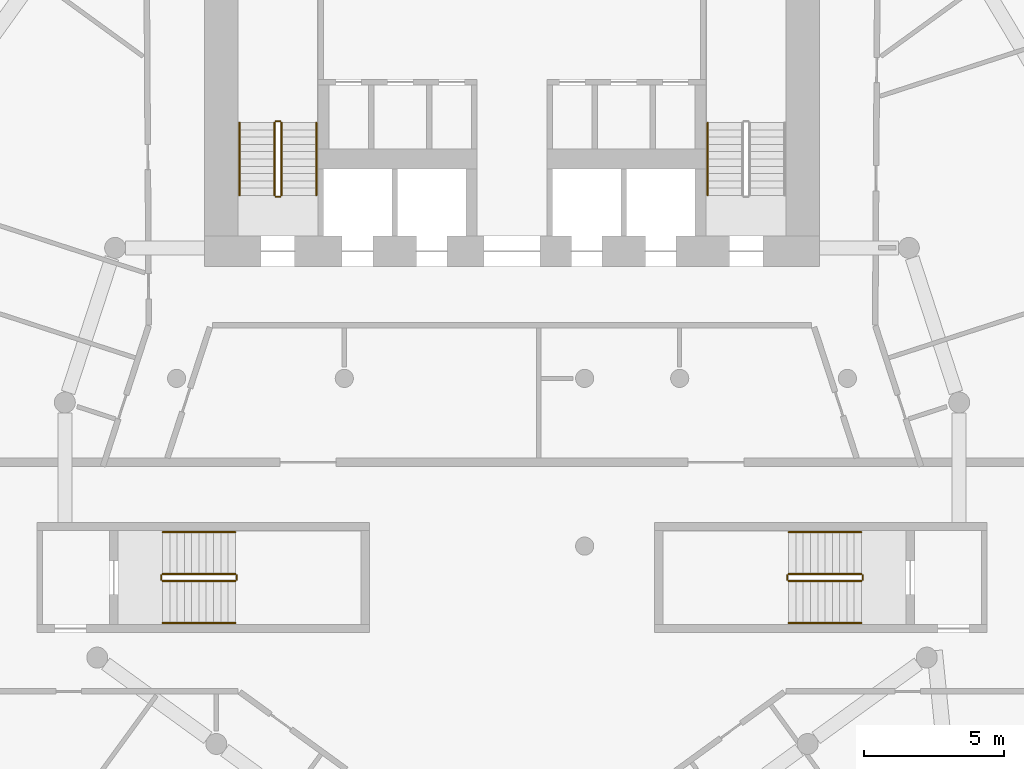
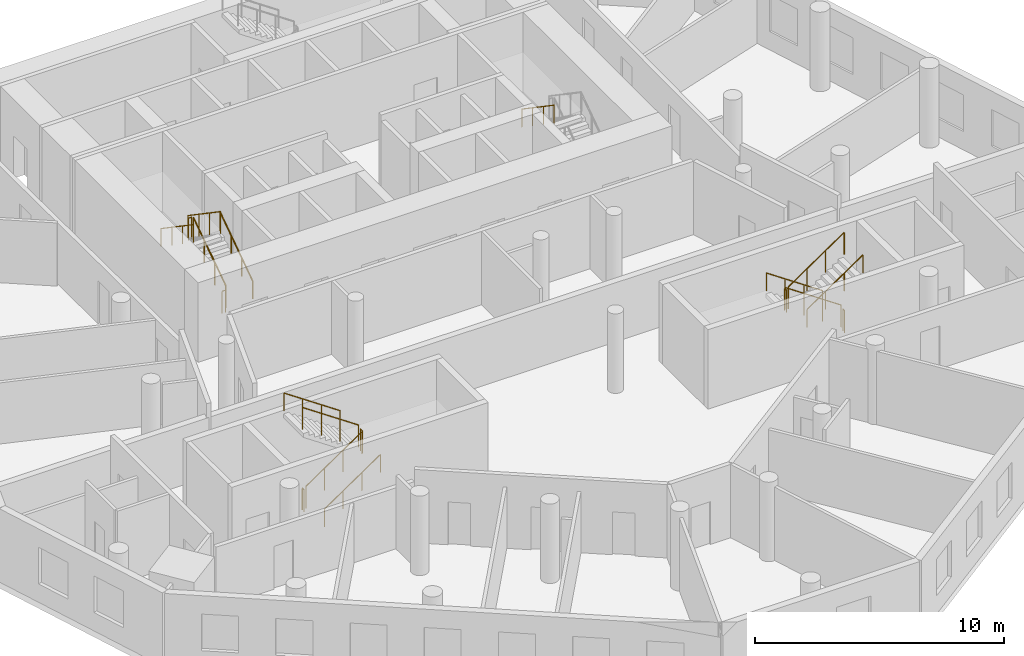
# One storey, part 8 of 9: 19 railings.
"""IFC4 building model written with IfcOpenShell, lengths in metres."""

import ifcopenshell
import ifcopenshell.guid

model = None  # the IFC model being written
_history = None  # IfcOwnerHistory: only IFC2X3 demands one
_inside = {}  # id of a spatial element -> (the spatial element, [elements in it])
_under = {}  # id of a project, library or spatial element -> (it, [spatial elements below it])
_declared = {}  # id of a project -> (the project, [libraries it declares])
_typed = {}  # id of a type object -> (the type object, [elements of that type])
_made_of = {}  # id of a material, layer set ... -> (it, [elements and type objects made of it])


def new_model(schema):
    """Start an empty IFC model of exactly this schema.

    Asked for "IFC4X3", IfcOpenShell would pick the latest addendum, in which some entities
    have other attributes; the version numbers below select the first issue.
    IFC2X3 requires an IfcOwnerHistory on every rooted entity: one is made here for all.
    """
    global model, _history
    if schema == "IFC4X3":
        model = ifcopenshell.file(schema_version=(4, 3, 0, 0))
    else:
        model = ifcopenshell.file(schema=schema)
    _inside.clear()
    _under.clear()
    _declared.clear()
    _typed.clear()
    _made_of.clear()
    _history = None
    if model.schema == "IFC2X3":
        org = make("IfcOrganization", Name="unknown")
        user = make(
            "IfcPersonAndOrganization",
            ThePerson=make("IfcPerson", FamilyName="unknown"),
            TheOrganization=org,
        )
        app = make(
            "IfcApplication",
            ApplicationDeveloper=org,
            Version="unknown",
            ApplicationFullName="unknown",
            ApplicationIdentifier="unknown",
        )
        _history = make(
            "IfcOwnerHistory",
            OwningUser=user,
            OwningApplication=app,
            ChangeAction="ADDED",
            CreationDate=0,
        )
    return model


def make(cls, **values):
    """One entity of the class cls with the attributes given. An attribute that is None is left unset."""
    return model.create_entity(
        cls, **{name: value for name, value in values.items() if value is not None}
    )


def rooted(cls, **values):
    """An entity with a GlobalId (a new one), such as an element, a storey or a relation."""
    return make(cls, GlobalId=ifcopenshell.guid.new(), OwnerHistory=_history, **values)


def si_unit(unit_type, name, prefix=None):
    """IfcSIUnit, for example si_unit("LENGTHUNIT", "METRE", prefix="MILLI")."""
    return make("IfcSIUnit", UnitType=unit_type, Prefix=prefix, Name=name)


def assignment(units):
    """IfcUnitAssignment: the units of a project."""
    return None if units is None else make("IfcUnitAssignment", Units=units)


def point(xyz):
    """IfcCartesianPoint."""
    return None if xyz is None else make("IfcCartesianPoint", Coordinates=xyz)


def direction(xyz):
    """IfcDirection."""
    return None if xyz is None else make("IfcDirection", DirectionRatios=xyz)


def frame(location, z_axis=None, x_axis=None):
    """IfcAxis2Placement3D, a coordinate frame: its origin and axes. An axis left out is left unset."""
    return make(
        "IfcAxis2Placement3D",
        Location=point(location),
        Axis=direction(z_axis),
        RefDirection=direction(x_axis),
    )


def frame_2d(location, x_axis=None):
    """IfcAxis2Placement2D, a coordinate frame in the plane: its origin and x axis."""
    return make(
        "IfcAxis2Placement2D", Location=point(location), RefDirection=direction(x_axis)
    )


def origin():
    """The frame at (0, 0, 0) with its axes left unset."""
    return frame((0.0, 0.0, 0.0))


def origin_2d():
    """The frame at (0, 0) in the plane with its x axis left unset."""
    return frame_2d((0.0, 0.0))


def place(relative_to, where):
    """IfcLocalPlacement: puts the frame where relative to a parent placement (None: the world)."""
    return make(
        "IfcLocalPlacement", PlacementRelTo=relative_to, RelativePlacement=where
    )


def context(
    kind, dimensions, precision=None, world=None, true_north=None, identifier=None
):
    """IfcGeometricRepresentationContext, for example the 3D "Model" context."""
    return make(
        "IfcGeometricRepresentationContext",
        ContextIdentifier=identifier,
        ContextType=kind,
        CoordinateSpaceDimension=dimensions,
        Precision=precision,
        WorldCoordinateSystem=world,
        TrueNorth=true_north,
    )


def subcontext(parent, identifier, kind, view, scale=None):
    """IfcGeometricRepresentationSubContext, for example "Body" below "Model"."""
    return make(
        "IfcGeometricRepresentationSubContext",
        ContextIdentifier=identifier,
        ContextType=kind,
        ParentContext=parent,
        TargetScale=scale,
        TargetView=view,
    )


def project(units=None, contexts=None):
    """IfcProject with its units and contexts."""
    return rooted(
        "IfcProject",
        Name="project",
        RepresentationContexts=contexts,
        UnitsInContext=assignment(units),
    )


def spatial(cls, under=None, at=None, **own):
    """A site, building, storey or space (cls), placed at a placement, below another one or the project."""
    s = rooted(cls, ObjectPlacement=at, **own)
    if under is not None:
        _under.setdefault(under.id(), (under, []))[1].append(s)
    return s


def profile(cls, at=None, kind="AREA", **sizes):
    """A parametric profile (cls). Its sizes go by their IFC names, for example OverallWidth=200.0."""
    return make(cls, ProfileType=kind, Position=at, **sizes)


def circle(**sizes):
    """IfcCircleProfileDef."""
    return profile("IfcCircleProfileDef", **sizes)


def extrude(swept, where, along, depth):
    """IfcExtrudedAreaSolid: the profile swept, set in the frame where, extruded along a direction by depth."""
    return make(
        "IfcExtrudedAreaSolid",
        SweptArea=swept,
        Position=where,
        ExtrudedDirection=direction(along),
        Depth=depth,
    )


def shape(context_of_items, identifier, shape_type, items):
    """IfcShapeRepresentation: the items that make up one representation, for example the "Body"."""
    return make(
        "IfcShapeRepresentation",
        ContextOfItems=context_of_items,
        RepresentationIdentifier=identifier,
        RepresentationType=shape_type,
        Items=items,
    )


def material(Name=None, Category=None):
    """IfcMaterial."""
    return make("IfcMaterial", Name=Name, Category=Category)


def made_of(thing, what):
    """Note that an element or type object is made of a material, layer set ...; save() writes the relation."""
    if what is not None:
        _made_of.setdefault(what.id(), (what, []))[1].append(thing)
    return thing


def type_object(cls, material=None, **own):
    """A type object (cls), such as IfcWallType, which elements share."""
    return made_of(rooted(cls, **own), material)


def element(
    cls,
    number,
    at=None,
    inside=None,
    cuts=None,
    type_object=None,
    material=None,
    context=None,
    identifier="Body",
    shape_type=None,
    held_by="IfcProductDefinitionShape",
    body=None,
    shapes=None,
    **own,
):
    """One element of the class cls, such as IfcWall. Its Tag is "e" and its number.

    at: its placement. inside: the storey or other place that contains it. cuts: it is an
    opening in that element (IfcRelVoidsElement). A single representation is given by context,
    identifier, shape_type and body (its items); several are given by shapes. held_by: the class
    of the entity that holds the representations. save() writes the other relations.
    """
    e = rooted(cls, Tag="e%d" % number, ObjectPlacement=at, **own)
    if body is not None:
        shapes = [shape(context, identifier, shape_type, body)]
    if shapes is not None:
        e.Representation = make(held_by, Representations=shapes)
    if inside is not None:
        _inside.setdefault(inside.id(), (inside, []))[1].append(e)
    if cuts is not None:
        rooted(
            "IfcRelVoidsElement", RelatingBuildingElement=cuts, RelatedOpeningElement=e
        )
    if type_object is not None:
        _typed.setdefault(type_object.id(), (type_object, []))[1].append(e)
    return made_of(e, material)


def aggregate(whole, parts):
    """IfcRelAggregates: a whole, such as a stair, and the parts it consists of."""
    return rooted("IfcRelAggregates", RelatingObject=whole, RelatedObjects=parts)


def save(model, path):
    """Write the relations noted so far, then the file.

    IfcRelAggregates (storeys below a building ...), IfcRelContainedInSpatialStructure (elements
    in a storey), IfcRelDefinesByType, IfcRelAssociatesMaterial and IfcRelDeclares: one each for
    every whole, place, type object, material and project.
    """
    for whole, parts in _under.values():
        aggregate(whole, parts)
    for where, things in _inside.values():
        rooted(
            "IfcRelContainedInSpatialStructure",
            RelatedElements=things,
            RelatingStructure=where,
        )
    for kind, things in _typed.values():
        rooted("IfcRelDefinesByType", RelatedObjects=things, RelatingType=kind)
    for what, things in _made_of.values():
        rooted("IfcRelAssociatesMaterial", RelatedObjects=things, RelatingMaterial=what)
    for by, libraries in _declared.values():
        rooted("IfcRelDeclares", RelatingContext=by, RelatedDefinitions=libraries)
    model.write(path)


model = new_model("IFC4")

# Units and contexts
model_context = context("Model", 3, precision=1e-05, world=origin(), true_north=direction((0.0, 1.0)))
body_context = subcontext(model_context, "Body", "Model", "MODEL_VIEW")
ifc_project = project(units=[si_unit("LENGTHUNIT", "METRE"), si_unit("AREAUNIT", "SQUARE_METRE"), si_unit("VOLUMEUNIT", "CUBIC_METRE"), si_unit("PLANEANGLEUNIT", "RADIAN"), si_unit("MASSUNIT", "GRAM", prefix="KILO")], contexts=[model_context])

# Site, building, storey
site_placement = place(None, origin())
site = spatial("IfcSite", under=ifc_project, at=site_placement, CompositionType="ELEMENT")
building_placement = place(site_placement, origin())
building = spatial("IfcBuilding", under=site, at=building_placement, Name="White Candle Pilgrim Tower", CompositionType="ELEMENT")
storey_placement = place(building_placement, frame((0.0, 0.0, 133.699951171875)))
storey = spatial("IfcBuildingStorey", under=building, at=storey_placement, Name="L30", CompositionType="ELEMENT", Elevation=133.699951171875)

# Railings
ifc_material = material(Name="Stainless steel", Category="steel")
railing_type_1 = type_object("IfcRailingType", Name="Stair guard stainless steel 1100 mm", PredefinedType="GUARDRAIL", material=ifc_material)
railing_1_placement = place(storey_placement, frame((61.75, 73.550048828125, 0.17724609375)))
element("IfcRailing", 1, at=railing_1_placement, inside=storey, type_object=railing_type_1, Name="L30 ST1 stair guard 1", PredefinedType="GUARDRAIL", context=body_context, shape_type="SweptSolid", body=[
    extrude(circle(Radius=0.02392578125, at=origin_2d()), frame((0.0, 0.0, 1.076171875), z_axis=(0.0, 0.826215852431, 0.563353676824), x_axis=(-1.0, 0.0, 0.0)), (0.0, 0.0, 1.0), 3.146728515625),
    extrude(circle(Radius=0.02099609375, at=origin_2d()), origin(), (0.0, 0.0, 1.0), 1.052001953125),
    extrude(circle(Radius=0.02099609375, at=origin_2d()), frame((0.0, 0.86669921875, 0.5908203125)), (0.0, 0.0, 1.0), 1.052001953125),
    extrude(circle(Radius=0.02099609375, at=origin_2d()), frame((0.0, 1.733154296875, 1.181884765625)), (0.0, 0.0, 1.0), 1.052001953125),
    extrude(circle(Radius=0.02099609375, at=origin_2d()), frame((0.0, 2.599853515625, 1.772705078125)), (0.0, 0.0, 1.0), 1.052001953125),
])
railing_2_placement = place(storey_placement, frame((61.699951171875, 76.199951171875, 1.949951171875)))
element("IfcRailing", 2, at=railing_2_placement, inside=storey, type_object=railing_type_1, Name="L30 ST1 stair guard 2", PredefinedType="GUARDRAIL", context=body_context, shape_type="SweptSolid", body=[
    extrude(circle(Radius=0.02392578125, at=origin_2d()), frame((0.0, 0.0, 1.076171875), z_axis=(-1.0, 0.0, 0.0), x_axis=(0.0, -1.0, 0.0)), (0.0, 0.0, 1.0), 0.14990234375),
    extrude(circle(Radius=0.02099609375, at=origin_2d()), origin(), (0.0, 0.0, 1.0), 1.052001953125),
    extrude(circle(Radius=0.02099609375, at=origin_2d()), frame((-0.14990234375, 0.0, 0.0)), (0.0, 0.0, 1.0), 1.052001953125),
])
railing_3_placement = place(storey_placement, frame((61.5, 76.14990234375, 2.12744140625)))
element("IfcRailing", 3, at=railing_3_placement, inside=storey, type_object=railing_type_1, Name="L30 ST1 stair guard 3", PredefinedType="GUARDRAIL", context=body_context, shape_type="SweptSolid", body=[
    extrude(circle(Radius=0.02392578125, at=origin_2d()), frame((0.0, 0.0, 1.076171875), z_axis=(0.0, -0.826215852431, 0.563353676824), x_axis=(1.0, 0.0, 0.0)), (0.0, 0.0, 1.0), 3.146728515625),
    extrude(circle(Radius=0.02099609375, at=origin_2d()), origin(), (0.0, 0.0, 1.0), 1.052001953125),
    extrude(circle(Radius=0.02099609375, at=origin_2d()), frame((0.0, -0.86669921875, 0.5908203125)), (0.0, 0.0, 1.0), 1.052001953125),
    extrude(circle(Radius=0.02099609375, at=origin_2d()), frame((0.0, -1.733154296875, 1.181884765625)), (0.0, 0.0, 1.0), 1.052001953125),
    extrude(circle(Radius=0.02099609375, at=origin_2d()), frame((0.0, -2.599853515625, 1.772705078125)), (0.0, 0.0, 1.0), 1.052001953125),
])
railing_4_placement = place(storey_placement, frame((61.699951171875, 73.5, 0.0)))
element("IfcRailing", 4, at=railing_4_placement, inside=storey, type_object=railing_type_1, Name="L30 ST1 stair guard 4", PredefinedType="GUARDRAIL", context=body_context, shape_type="SweptSolid", body=[
    extrude(circle(Radius=0.02392578125, at=origin_2d()), frame((0.0, 0.0, 1.076171875), z_axis=(-1.0, 0.0, 0.0), x_axis=(0.0, -1.0, 0.0)), (0.0, 0.0, 1.0), 0.14990234375),
    extrude(circle(Radius=0.02099609375, at=origin_2d()), origin(), (0.0, 0.0, 1.0), 1.052001953125),
    extrude(circle(Radius=0.02099609375, at=origin_2d()), frame((-0.14990234375, 0.0, 0.0)), (0.0, 0.0, 1.0), 1.052001953125),
])
railing_5_placement = place(storey_placement, frame((82.5, 60.0, 0.17724609375)))
element("IfcRailing", 5, at=railing_5_placement, inside=storey, type_object=railing_type_1, Name="L30 ST4 stair guard 1", PredefinedType="GUARDRAIL", context=body_context, shape_type="SweptSolid", body=[
    extrude(circle(Radius=0.02392578125, at=origin_2d()), frame((0.0, 0.0, 1.076171875), z_axis=(-0.826240473404, 0.0, 0.563317565952), x_axis=(0.0, -1.0, 0.0)), (0.0, 0.0, 1.0), 3.14697265625),
    extrude(circle(Radius=0.02099609375, at=origin_2d()), origin(), (0.0, 0.0, 1.0), 1.052001953125),
    extrude(circle(Radius=0.02099609375, at=origin_2d()), frame((-0.86669921875, 0.0, 0.5908203125)), (0.0, 0.0, 1.0), 1.052001953125),
    extrude(circle(Radius=0.02099609375, at=origin_2d()), frame((-1.7333984375, 0.0, 1.181884765625)), (0.0, 0.0, 1.0), 1.052001953125),
    extrude(circle(Radius=0.02099609375, at=origin_2d()), frame((-2.60009765625, 0.0, 1.772705078125)), (0.0, 0.0, 1.0), 1.052001953125),
])
railing_6_placement = place(storey_placement, frame((79.85009765625, 59.949951171875, 1.949951171875)))
element("IfcRailing", 6, at=railing_6_placement, inside=storey, type_object=railing_type_1, Name="L30 ST4 stair guard 2", PredefinedType="GUARDRAIL", context=body_context, shape_type="SweptSolid", body=[
    extrude(circle(Radius=0.02392578125, at=origin_2d()), frame((0.0, 0.0, 1.076171875), z_axis=(0.0, -1.0, 0.0), x_axis=(1.0, 0.0, 0.0)), (0.0, 0.0, 1.0), 0.14990234375),
    extrude(circle(Radius=0.02099609375, at=origin_2d()), origin(), (0.0, 0.0, 1.0), 1.052001953125),
    extrude(circle(Radius=0.02099609375, at=origin_2d()), frame((0.0, -0.14990234375, 0.0)), (0.0, 0.0, 1.0), 1.052001953125),
])
railing_7_placement = place(storey_placement, frame((79.89990234375, 59.75, 2.12744140625)))
element("IfcRailing", 7, at=railing_7_placement, inside=storey, type_object=railing_type_1, Name="L30 ST4 stair guard 3", PredefinedType="GUARDRAIL", context=body_context, shape_type="SweptSolid", body=[
    extrude(circle(Radius=0.02392578125, at=origin_2d()), frame((0.0, 0.0, 1.076171875), z_axis=(0.826240473404, 0.0, 0.563317565952), x_axis=(0.0, 1.0, 0.0)), (0.0, 0.0, 1.0), 3.14697265625),
    extrude(circle(Radius=0.02099609375, at=origin_2d()), origin(), (0.0, 0.0, 1.0), 1.052001953125),
    extrude(circle(Radius=0.02099609375, at=origin_2d()), frame((0.86669921875, 0.0, 0.5908203125)), (0.0, 0.0, 1.0), 1.052001953125),
    extrude(circle(Radius=0.02099609375, at=origin_2d()), frame((1.7333984375, 0.0, 1.181884765625)), (0.0, 0.0, 1.0), 1.052001953125),
    extrude(circle(Radius=0.02099609375, at=origin_2d()), frame((2.60009765625, 0.0, 1.772705078125)), (0.0, 0.0, 1.0), 1.052001953125),
])
railing_8_placement = place(storey_placement, frame((82.550048828125, 59.949951171875, 0.0)))
element("IfcRailing", 8, at=railing_8_placement, inside=storey, type_object=railing_type_1, Name="L30 ST4 stair guard 4", PredefinedType="GUARDRAIL", context=body_context, shape_type="SweptSolid", body=[
    extrude(circle(Radius=0.02392578125, at=origin_2d()), frame((0.0, 0.0, 1.076171875), z_axis=(0.0, -1.0, 0.0), x_axis=(1.0, 0.0, 0.0)), (0.0, 0.0, 1.0), 0.14990234375),
    extrude(circle(Radius=0.02099609375, at=origin_2d()), origin(), (0.0, 0.0, 1.0), 1.052001953125),
    extrude(circle(Radius=0.02099609375, at=origin_2d()), frame((0.0, -0.14990234375, 0.0)), (0.0, 0.0, 1.0), 1.052001953125),
])
railing_9_placement = place(storey_placement, frame((57.5, 59.75, 0.17724609375)))
element("IfcRailing", 9, at=railing_9_placement, inside=storey, type_object=railing_type_1, Name="L30 ST5 stair guard 1", PredefinedType="GUARDRAIL", context=body_context, shape_type="SweptSolid", body=[
    extrude(circle(Radius=0.02392578125, at=origin_2d()), frame((0.0, 0.0, 1.076171875), z_axis=(0.826240473404, 0.0, 0.563317565952), x_axis=(0.0, 1.0, 0.0)), (0.0, 0.0, 1.0), 3.14697265625),
    extrude(circle(Radius=0.02099609375, at=origin_2d()), origin(), (0.0, 0.0, 1.0), 1.052001953125),
    extrude(circle(Radius=0.02099609375, at=origin_2d()), frame((0.86669921875, 0.0, 0.5908203125)), (0.0, 0.0, 1.0), 1.052001953125),
    extrude(circle(Radius=0.02099609375, at=origin_2d()), frame((1.7333984375, 0.0, 1.181884765625)), (0.0, 0.0, 1.0), 1.052001953125),
    extrude(circle(Radius=0.02099609375, at=origin_2d()), frame((2.60009765625, 0.0, 1.772705078125)), (0.0, 0.0, 1.0), 1.052001953125),
])
railing_10_placement = place(storey_placement, frame((60.14990234375, 59.800048828125, 1.949951171875)))
element("IfcRailing", 10, at=railing_10_placement, inside=storey, type_object=railing_type_1, Name="L30 ST5 stair guard 2", PredefinedType="GUARDRAIL", context=body_context, shape_type="SweptSolid", body=[
    extrude(circle(Radius=0.02392578125, at=origin_2d()), frame((0.0, 0.0, 1.076171875), z_axis=(0.0, 1.0, 0.0), x_axis=(-1.0, 0.0, 0.0)), (0.0, 0.0, 1.0), 0.14990234375),
    extrude(circle(Radius=0.02099609375, at=origin_2d()), origin(), (0.0, 0.0, 1.0), 1.052001953125),
    extrude(circle(Radius=0.02099609375, at=origin_2d()), frame((0.0, 0.14990234375, 0.0)), (0.0, 0.0, 1.0), 1.052001953125),
])
railing_11_placement = place(storey_placement, frame((60.10009765625, 60.0, 2.12744140625)))
element("IfcRailing", 11, at=railing_11_placement, inside=storey, type_object=railing_type_1, Name="L30 ST5 stair guard 3", PredefinedType="GUARDRAIL", context=body_context, shape_type="SweptSolid", body=[
    extrude(circle(Radius=0.02392578125, at=origin_2d()), frame((0.0, 0.0, 1.076171875), z_axis=(-0.826240473404, 0.0, 0.563317565952), x_axis=(0.0, -1.0, 0.0)), (0.0, 0.0, 1.0), 3.14697265625),
    extrude(circle(Radius=0.02099609375, at=origin_2d()), origin(), (0.0, 0.0, 1.0), 1.052001953125),
    extrude(circle(Radius=0.02099609375, at=origin_2d()), frame((-0.86669921875, 0.0, 0.5908203125)), (0.0, 0.0, 1.0), 1.052001953125),
    extrude(circle(Radius=0.02099609375, at=origin_2d()), frame((-1.7333984375, 0.0, 1.181884765625)), (0.0, 0.0, 1.0), 1.052001953125),
    extrude(circle(Radius=0.02099609375, at=origin_2d()), frame((-2.60009765625, 0.0, 1.772705078125)), (0.0, 0.0, 1.0), 1.052001953125),
])
railing_12_placement = place(storey_placement, frame((57.449951171875, 59.800048828125, 0.0)))
element("IfcRailing", 12, at=railing_12_placement, inside=storey, type_object=railing_type_1, Name="L30 ST5 stair guard 4", PredefinedType="GUARDRAIL", context=body_context, shape_type="SweptSolid", body=[
    extrude(circle(Radius=0.02392578125, at=origin_2d()), frame((0.0, 0.0, 1.076171875), z_axis=(0.0, 1.0, 0.0), x_axis=(-1.0, 0.0, 0.0)), (0.0, 0.0, 1.0), 0.14990234375),
    extrude(circle(Radius=0.02099609375, at=origin_2d()), origin(), (0.0, 0.0, 1.0), 1.052001953125),
    extrude(circle(Radius=0.02099609375, at=origin_2d()), frame((0.0, 0.14990234375, 0.0)), (0.0, 0.0, 1.0), 1.052001953125),
])
railing_type_2 = type_object("IfcRailingType", Name="Stair handrail stainless steel", PredefinedType="HANDRAIL", material=ifc_material)
railing_13_placement = place(storey_placement, frame((63.0, 73.550048828125, 0.17724609375)))
element("IfcRailing", 13, at=railing_13_placement, inside=storey, type_object=railing_type_2, Name="L30 ST1 stair handrail 1", PredefinedType="HANDRAIL", context=body_context, shape_type="SweptSolid", body=[
    extrude(circle(Radius=0.02392578125, at=origin_2d()), frame((0.0, 0.0, 0.8759765625), z_axis=(0.0, 0.826215852431, 0.563353676824), x_axis=(-1.0, 0.0, 0.0)), (0.0, 0.0, 1.0), 3.146728515625),
    extrude(circle(Radius=0.02099609375, at=origin_2d()), origin(), (0.0, 0.0, 1.0), 0.851806640625),
    extrude(circle(Radius=0.02099609375, at=origin_2d()), frame((0.0, 0.86669921875, 0.5908203125)), (0.0, 0.0, 1.0), 0.851806640625),
    extrude(circle(Radius=0.02099609375, at=origin_2d()), frame((0.0, 1.733154296875, 1.181884765625)), (0.0, 0.0, 1.0), 0.851806640625),
    extrude(circle(Radius=0.02099609375, at=origin_2d()), frame((0.0, 2.599853515625, 1.772705078125)), (0.0, 0.0, 1.0), 0.851806640625),
])
for number, where, name in (
    (14, (60.25, 76.14990234375, 2.12744140625), "L30 ST1 stair handrail 2"),
    (15, (77.0, 76.14990234375, 2.12744140625), "L30 ST2 stair handrail 2"),
):
    element("IfcRailing", number, at=place(storey_placement, frame(where)), inside=storey, type_object=railing_type_2, Name=name, PredefinedType="HANDRAIL", context=body_context, shape_type="SweptSolid", body=[
        extrude(circle(Radius=0.02392578125, at=origin_2d()), frame((0.0, 0.0, 0.8759765625), z_axis=(0.0, -0.826215852431, 0.563353676824), x_axis=(1.0, 0.0, 0.0)), (0.0, 0.0, 1.0), 3.146728515625),
        extrude(circle(Radius=0.02099609375, at=origin_2d()), origin(), (0.0, 0.0, 1.0), 0.851806640625),
        extrude(circle(Radius=0.02099609375, at=origin_2d()), frame((0.0, -0.86669921875, 0.5908203125)), (0.0, 0.0, 1.0), 0.851806640625),
        extrude(circle(Radius=0.02099609375, at=origin_2d()), frame((0.0, -1.733154296875, 1.181884765625)), (0.0, 0.0, 1.0), 0.851806640625),
        extrude(circle(Radius=0.02099609375, at=origin_2d()), frame((0.0, -2.599853515625, 1.772705078125)), (0.0, 0.0, 1.0), 0.851806640625),
    ])
railing_14_placement = place(storey_placement, frame((82.5, 61.5, 0.17724609375)))
element("IfcRailing", 16, at=railing_14_placement, inside=storey, type_object=railing_type_2, Name="L30 ST4 stair handrail 1", PredefinedType="HANDRAIL", context=body_context, shape_type="SweptSolid", body=[
    extrude(circle(Radius=0.02392578125, at=origin_2d()), frame((0.0, 0.0, 0.8759765625), z_axis=(-0.826240473404, 0.0, 0.563317565952), x_axis=(0.0, -1.0, 0.0)), (0.0, 0.0, 1.0), 3.14697265625),
    extrude(circle(Radius=0.02099609375, at=origin_2d()), origin(), (0.0, 0.0, 1.0), 0.851806640625),
    extrude(circle(Radius=0.02099609375, at=origin_2d()), frame((-0.86669921875, 0.0, 0.5908203125)), (0.0, 0.0, 1.0), 0.851806640625),
    extrude(circle(Radius=0.02099609375, at=origin_2d()), frame((-1.7333984375, 0.0, 1.181884765625)), (0.0, 0.0, 1.0), 0.851806640625),
    extrude(circle(Radius=0.02099609375, at=origin_2d()), frame((-2.60009765625, 0.0, 1.772705078125)), (0.0, 0.0, 1.0), 0.851806640625),
])
for number, where, name in (
    (17, (79.89990234375, 58.25, 2.12744140625), "L30 ST4 stair handrail 2"),
    (18, (57.5, 58.25, 0.17724609375), "L30 ST5 stair handrail 1"),
):
    element("IfcRailing", number, at=place(storey_placement, frame(where)), inside=storey, type_object=railing_type_2, Name=name, PredefinedType="HANDRAIL", context=body_context, shape_type="SweptSolid", body=[
        extrude(circle(Radius=0.02392578125, at=origin_2d()), frame((0.0, 0.0, 0.8759765625), z_axis=(0.826240473404, 0.0, 0.563317565952), x_axis=(0.0, 1.0, 0.0)), (0.0, 0.0, 1.0), 3.14697265625),
        extrude(circle(Radius=0.02099609375, at=origin_2d()), origin(), (0.0, 0.0, 1.0), 0.851806640625),
        extrude(circle(Radius=0.02099609375, at=origin_2d()), frame((0.86669921875, 0.0, 0.5908203125)), (0.0, 0.0, 1.0), 0.851806640625),
        extrude(circle(Radius=0.02099609375, at=origin_2d()), frame((1.7333984375, 0.0, 1.181884765625)), (0.0, 0.0, 1.0), 0.851806640625),
        extrude(circle(Radius=0.02099609375, at=origin_2d()), frame((2.60009765625, 0.0, 1.772705078125)), (0.0, 0.0, 1.0), 0.851806640625),
    ])
railing_15_placement = place(storey_placement, frame((60.10009765625, 61.5, 2.12744140625)))
element("IfcRailing", 19, at=railing_15_placement, inside=storey, type_object=railing_type_2, Name="L30 ST5 stair handrail 2", PredefinedType="HANDRAIL", context=body_context, shape_type="SweptSolid", body=[
    extrude(circle(Radius=0.02392578125, at=origin_2d()), frame((0.0, 0.0, 0.8759765625), z_axis=(-0.826240473404, 0.0, 0.563317565952), x_axis=(0.0, -1.0, 0.0)), (0.0, 0.0, 1.0), 3.14697265625),
    extrude(circle(Radius=0.02099609375, at=origin_2d()), origin(), (0.0, 0.0, 1.0), 0.851806640625),
    extrude(circle(Radius=0.02099609375, at=origin_2d()), frame((-0.86669921875, 0.0, 0.5908203125)), (0.0, 0.0, 1.0), 0.851806640625),
    extrude(circle(Radius=0.02099609375, at=origin_2d()), frame((-1.7333984375, 0.0, 1.181884765625)), (0.0, 0.0, 1.0), 0.851806640625),
    extrude(circle(Radius=0.02099609375, at=origin_2d()), frame((-2.60009765625, 0.0, 1.772705078125)), (0.0, 0.0, 1.0), 0.851806640625),
])

save(model, "model.ifc")
